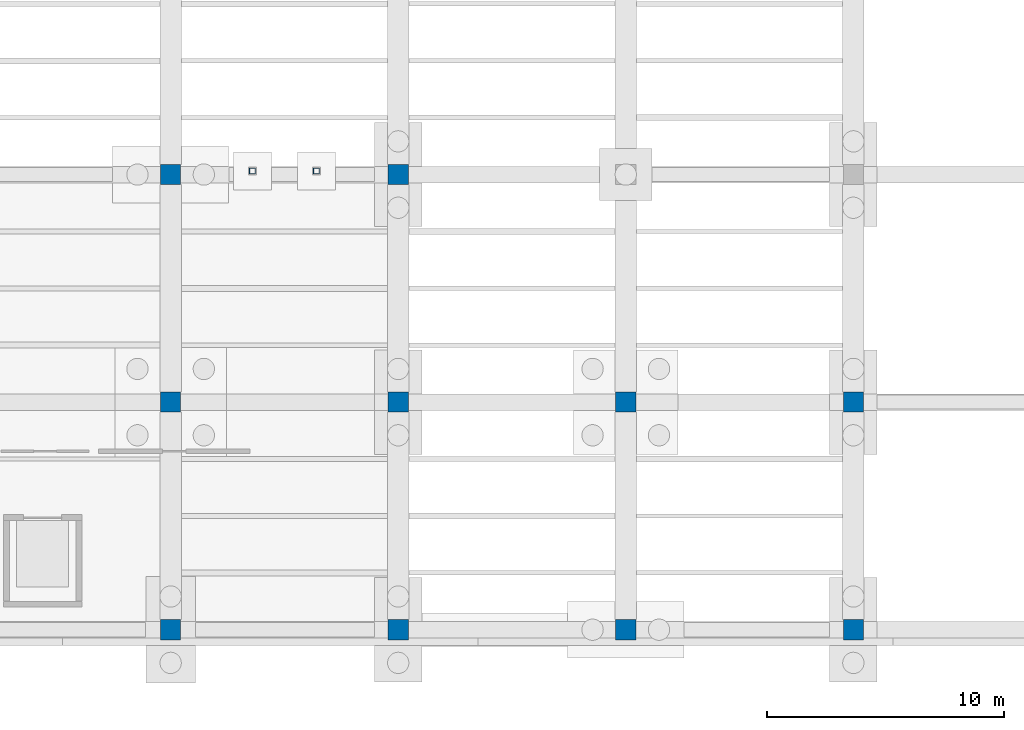
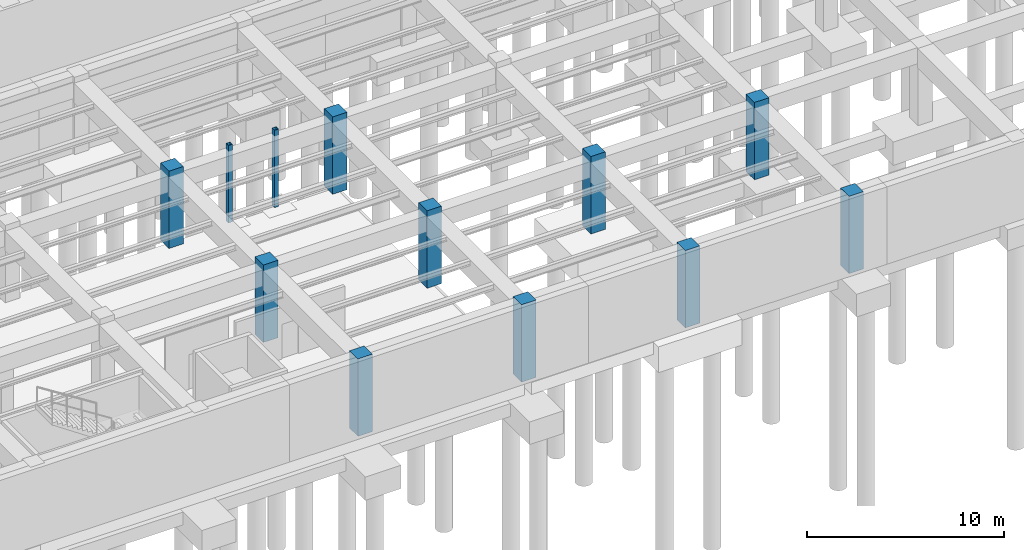
# One storey, part 21 of 56: 12 columns.
"""IFC4 building model written with IfcOpenShell, lengths in metres."""

from ifc_helpers import new_model, si_unit, direction, frame, origin, origin_2d, place, context, subcontext, project, spatial, rectangle, hollow_rectangle, extrude, material, material_profile, profile_set, type_object, element, save


model = new_model("IFC4")

# Units and contexts
model_context = context("Model", 3, precision=1e-05, world=origin(), true_north=direction((0.0, 1.0)))
body_context = subcontext(model_context, "Body", "Model", "MODEL_VIEW")
ifc_project = project(units=[si_unit("LENGTHUNIT", "METRE"), si_unit("AREAUNIT", "SQUARE_METRE"), si_unit("VOLUMEUNIT", "CUBIC_METRE"), si_unit("PLANEANGLEUNIT", "RADIAN"), si_unit("MASSUNIT", "GRAM", prefix="KILO")], contexts=[model_context])

# Site, building, storey
site_placement = place(None, origin())
site = spatial("IfcSite", under=ifc_project, at=site_placement, CompositionType="ELEMENT")
building_placement = place(site_placement, origin())
building = spatial("IfcBuilding", under=site, at=building_placement, Name="Mavantir Sound Aquarium", CompositionType="ELEMENT")
storey_placement = place(building_placement, frame((0.0, 0.0, -9.60009765625)))
storey = spatial("IfcBuildingStorey", under=building, at=storey_placement, Name="B2", CompositionType="ELEMENT", Elevation=-9.60009765625)

# Columns
ifc_material_1 = material(Name="Concrete C40/50", Category="concrete")
ifc_material_profile_1 = material_profile(ifc_material_1, rectangle(XDim=0.85009765625, YDim=0.85009765625, at=origin_2d()), Name="RC 850X850")
ifc_profile_set_1 = profile_set([ifc_material_profile_1], Name="Concrete C40/50")
column_type_1 = type_object("IfcColumnType", Name="COL-RC850-E", PredefinedType="COLUMN", material=ifc_profile_set_1)
for number, where, z_axis, x_axis, name in (
    (1, (127.199951171875, 0.0, 0.0), (0.0, 0.0, 1.0), (1.0, 0.0, 0.0), "B2 column RC-C85 (V6)"),
    (2, (136.800048828125, 0.0, 0.0), (0.0, 0.0, 1.0), (1.0, 0.0, 0.0), "B2 column RC-C85 (V6)"),
    (3, (146.39990234375, 0.0, 0.0), (0.0, 0.0, 1.0), (1.0, 0.0, 0.0), "B2 column RC-C85 (V6)"),
    (4, (156.0, 0.0, 0.0), (0.0, 0.0, 1.0), (1.0, 0.0, 0.0), "B2 column RC-C85 (V6)"),
):
    element("IfcColumn", number, at=place(storey_placement, frame(where, z_axis=z_axis, x_axis=x_axis)), inside=storey, type_object=column_type_1, Name=name, PredefinedType="COLUMN", context=body_context, shape_type="SweptSolid", body=[
        extrude(rectangle(XDim=0.85009765625, YDim=0.85009765625, at=origin_2d()), origin(), (0.0, 0.0, 1.0), 4.800048828125),
    ])
ifc_material_profile_2 = material_profile(ifc_material_1, rectangle(XDim=0.85009765625, YDim=0.85009765625, at=origin_2d()), Name="RC 850X850")
ifc_profile_set_2 = profile_set([ifc_material_profile_2], Name="Concrete C40/50")
column_type_2 = type_object("IfcColumnType", Name="COL-RC850-I", PredefinedType="COLUMN", material=ifc_profile_set_2)
for number, where, z_axis, x_axis, name in (
    (5, (127.199951171875, 9.60009765625, 0.0), (0.0, 0.0, 1.0), (1.0, 0.0, 0.0), "B2 column RC-C85 (V6)"),
    (6, (127.199951171875, 19.199951171875, 0.0), (0.0, 0.0, 1.0), (1.0, 0.0, 0.0), "B2 column RC-C85 (V6)"),
    (7, (136.800048828125, 9.60009765625, 0.0), (0.0, 0.0, 1.0), (1.0, 0.0, 0.0), "B2 column RC-C85 (V6)"),
    (8, (136.800048828125, 19.199951171875, 0.0), (0.0, 0.0, 1.0), (1.0, 0.0, 0.0), "B2 column RC-C85 (V6)"),
    (9, (146.39990234375, 9.60009765625, 0.0), (0.0, 0.0, 1.0), (1.0, 0.0, 0.0), "B2 column RC-C85 (V6)"),
    (10, (156.0, 9.60009765625, 0.0), (0.0, 0.0, 1.0), (1.0, 0.0, 0.0), "B2 column RC-C85 (V6)"),
):
    element("IfcColumn", number, at=place(storey_placement, frame(where, z_axis=z_axis, x_axis=x_axis)), inside=storey, type_object=column_type_2, Name=name, PredefinedType="COLUMN", context=body_context, shape_type="SweptSolid", body=[
        extrude(rectangle(XDim=0.85009765625, YDim=0.85009765625, at=origin_2d()), origin(), (0.0, 0.0, 1.0), 4.800048828125),
    ])
ifc_material_2 = material(Name="Hollow Structural Steel ASTM A500 GrC", Category="steel")
ifc_material_profile_3 = material_profile(ifc_material_2, hollow_rectangle(XDim=0.25, YDim=0.25, WallThickness=0.012451171875, InnerFilletRadius=0.012451171875, OuterFilletRadius=0.02490234375, at=origin_2d()), Name="SHS 250X250X12.5")
ifc_profile_set_3 = profile_set([ifc_material_profile_3], Name="Hollow Structural Steel ASTM A500 GrC")
column_type_3 = type_object("IfcColumnType", Name="COL-SHS250-E", PredefinedType="COLUMN", material=ifc_profile_set_3)
for number, where, z_axis, x_axis, name in (
    (11, (130.64990234375, 19.35009765625, 0.0), (0.0, 0.0, 1.0), (1.0, 0.0, 0.0), "Bridge support column 4.1 (B2)"),
    (12, (133.35009765625, 19.35009765625, 0.0), (0.0, 0.0, 1.0), (1.0, 0.0, 0.0), "Bridge support column 4.3 (B2)"),
):
    element("IfcColumn", number, at=place(storey_placement, frame(where, z_axis=z_axis, x_axis=x_axis)), inside=storey, type_object=column_type_3, Name=name, PredefinedType="COLUMN", context=body_context, shape_type="SweptSolid", body=[
        extrude(hollow_rectangle(XDim=0.25, YDim=0.25, WallThickness=0.012451171875, InnerFilletRadius=0.012451171875, OuterFilletRadius=0.02490234375, at=origin_2d()), origin(), (0.0, 0.0, 1.0), 4.800048828125),
    ])

save(model, "model.ifc")
